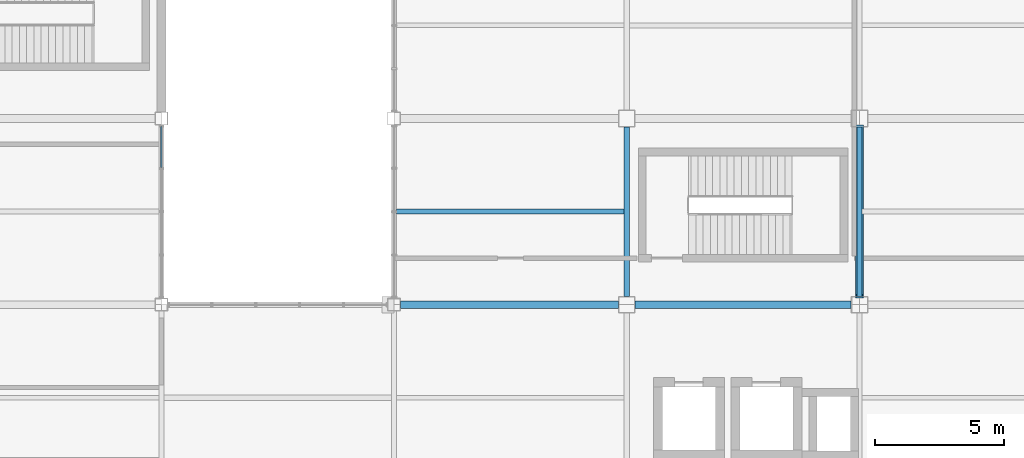
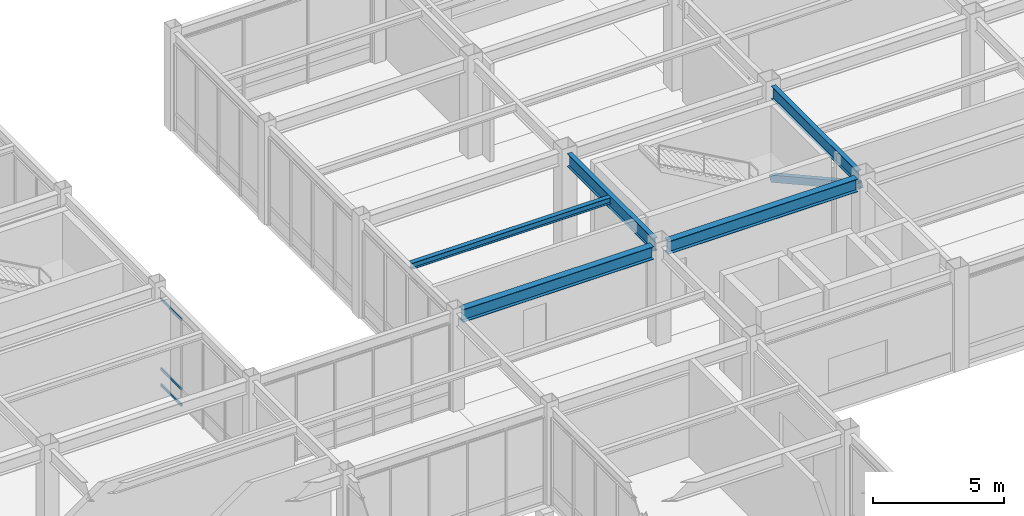
# One storey, part 53 of 112: 5 beams, 4 members, 1 element without a shape of its own.
"""IFC4 building model written with IfcOpenShell, lengths in metres."""

from ifc_helpers import new_model, si_unit, direction, frame, origin, origin_2d, place, context, subcontext, project, spatial, hollow_rectangle, i_section, extrude, material, material_profile, profile_set, type_object, element, aggregate, save


model = new_model("IFC4")

# Units and contexts
model_context = context("Model", 3, precision=1e-05, world=origin(), true_north=direction((0.0, 1.0)))
body_context = subcontext(model_context, "Body", "Model", "MODEL_VIEW")
ifc_project = project(units=[si_unit("LENGTHUNIT", "METRE"), si_unit("AREAUNIT", "SQUARE_METRE"), si_unit("VOLUMEUNIT", "CUBIC_METRE"), si_unit("PLANEANGLEUNIT", "RADIAN"), si_unit("MASSUNIT", "GRAM", prefix="KILO")], contexts=[model_context])

# Site, building, storey
site_placement = place(None, origin())
site = spatial("IfcSite", under=ifc_project, at=site_placement, CompositionType="ELEMENT")
building_placement = place(site_placement, origin())
building = spatial("IfcBuilding", under=site, at=building_placement, Name="Kazanami Central Library", CompositionType="ELEMENT")
storey_placement = place(building_placement, origin())
storey = spatial("IfcBuildingStorey", under=building, at=storey_placement, Name="L01", CompositionType="ELEMENT", Elevation=0.0)

# Beams
ifc_material_1 = material(Name="Steel SN400B (235 MPa)", Category="steel")
ifc_material_profile_1 = material_profile(ifc_material_1, i_section(OverallWidth=0.199951171875, OverallDepth=0.2939453125, WebThickness=0.008056640625, FlangeThickness=0.011962890625, at=origin_2d()), Name="H-294x200x8x12")
ifc_profile_set_1 = profile_set([ifc_material_profile_1], Name="Steel SN400B (235 MPa)")
beam_type_1 = type_object("IfcBeamType", Name="BM-B-S5", PredefinedType="JOIST", material=ifc_profile_set_1)
beam_1_placement = place(storey_placement, frame((45.097900390625, 75.60009765625, 4.407958984375), z_axis=(1.0, 0.0, 0.0), x_axis=(0.0, 1.0, 0.0)))
element("IfcBeam", 1, at=beam_1_placement, inside=storey, type_object=beam_type_1, Name="Composite Secondary Joist B-S5 L01 Bay 6/L.1", PredefinedType="JOIST", context=body_context, shape_type="SweptSolid", body=[
    extrude(i_section(OverallWidth=0.199951171875, OverallDepth=0.2939453125, WebThickness=0.008056640625, FlangeThickness=0.011962890625, at=origin_2d()), origin(), (0.0, 0.0, 1.0), 8.80419921875),
])
ifc_material_2 = material(Name="Steel SN490B (325 MPa)", Category="steel")
ifc_material_profile_2 = material_profile(ifc_material_2, i_section(OverallWidth=0.300048828125, OverallDepth=0.60009765625, WebThickness=0.011962890625, FlangeThickness=0.02001953125, at=origin_2d()), Name="H-600x300x12x20")
ifc_profile_set_2 = profile_set([ifc_material_profile_2], Name="Steel SN490B (325 MPa)")
beam_type_2 = type_object("IfcBeamType", Name="BM-G-X1", PredefinedType="BEAM", material=ifc_profile_set_2)
beam_2_placement = place(storey_placement, frame((45.248046875, 72.0, 4.2548828125), z_axis=(1.0, 0.0, 0.0), x_axis=(0.0, 1.0, 0.0)))
element("IfcBeam", 2, at=beam_2_placement, inside=storey, type_object=beam_type_2, Name="Girder G-X1 L01 L/6-7", PredefinedType="BEAM", context=body_context, shape_type="SweptSolid", body=[
    extrude(i_section(OverallWidth=0.300048828125, OverallDepth=0.60009765625, WebThickness=0.011962890625, FlangeThickness=0.02001953125, at=origin_2d()), origin(), (0.0, 0.0, 1.0), 8.428955078125),
])
beam_3_placement = place(storey_placement, frame((54.322998046875, 72.0, 4.2548828125), z_axis=(1.0, 0.0, 0.0), x_axis=(0.0, 1.0, 0.0)))
element("IfcBeam", 3, at=beam_3_placement, inside=storey, type_object=beam_type_2, Name="Girder G-X1 L01 L/7-8", PredefinedType="BEAM", context=body_context, shape_type="SweptSolid", body=[
    extrude(i_section(OverallWidth=0.300048828125, OverallDepth=0.60009765625, WebThickness=0.011962890625, FlangeThickness=0.02001953125, at=origin_2d()), origin(), (0.0, 0.0, 1.0), 8.35400390625),
])
ifc_material_profile_3 = material_profile(ifc_material_2, i_section(OverallWidth=0.199951171875, OverallDepth=0.60009765625, WebThickness=0.010986328125, FlangeThickness=0.01708984375, at=origin_2d()), Name="H-600x200x11x17")
ifc_profile_set_3 = profile_set([ifc_material_profile_3], Name="Steel SN490B (325 MPa)")
beam_type_3 = type_object("IfcBeamType", Name="BM-G-Y1", PredefinedType="BEAM", material=ifc_profile_set_3)
for number, where, z_axis, x_axis, name in (
    (4, (54.0, 72.322998046875, 4.2548828125), (0.0, 1.0, 0.0), (-1.0, 0.0, 0.0), "Girder G-Y1 L01 7/L-M"),
    (5, (63.0, 72.322998046875, 4.2548828125), (0.0, 1.0, 0.0), (-1.0, 0.0, 0.0), "Girder G-Y1 L01 8/L-M"),
):
    element("IfcBeam", number, at=place(storey_placement, frame(where, z_axis=z_axis, x_axis=x_axis)), inside=storey, type_object=beam_type_3, Name=name, PredefinedType="BEAM", context=body_context, shape_type="SweptSolid", body=[
        extrude(i_section(OverallWidth=0.199951171875, OverallDepth=0.60009765625, WebThickness=0.010986328125, FlangeThickness=0.01708984375, at=origin_2d()), origin(), (0.0, 0.0, 1.0), 6.553955078125),
    ])

# Member
ifc_material_3 = material(Name="Steel STK490 (315 MPa)", Category="steel")
ifc_material_profile_4 = material_profile(ifc_material_3, hollow_rectangle(XDim=0.300048828125, YDim=0.300048828125, WallThickness=0.011962890625, at=origin_2d()), Name="STKR-300x300x12")
ifc_profile_set_4 = profile_set([ifc_material_profile_4], Name="Steel STK490 (315 MPa)")
member_type_1 = type_object("IfcMemberType", Name="MEM-BR-06", PredefinedType="BRACE", material=ifc_profile_set_4)
member_1_placement = place(storey_placement, frame((63.0, 78.875, 0.25), z_axis=(0.0, -0.874945269019, 0.484221825428), x_axis=(1.0, 0.0, 0.0)))
element("IfcMember", 6, at=member_1_placement, inside=storey, type_object=member_type_1, Name="Concentric Steel Brace BR-06 L01 BF-V1A", PredefinedType="BRACE", context=body_context, shape_type="SweptSolid", body=[
    extrude(hollow_rectangle(XDim=0.300048828125, YDim=0.300048828125, WallThickness=0.011962890625, at=origin_2d()), origin(), (0.0, 0.0, 1.0), 7.486328125),
])

# Curtain wall, members
ifc_material_4 = material(Name="Acid-Etched Low-E Laminated Glass", Category="glass")
curtain_wall_type = type_object("IfcCurtainWallType", Name="CW-6700x4055-M180", PredefinedType="USERDEFINED", material=ifc_material_4)
curtain_wall_placement = place(storey_placement, origin())
curtain_wall = element("IfcCurtainWall", 7, at=curtain_wall_placement, inside=storey, type_object=curtain_wall_type, Name="Covered Link Bridge Curtain Wall CW-09 L01 E-5-10", ObjectType="UNITISED CURTAIN WALL", PredefinedType="USERDEFINED")
ifc_material_5 = material(Name="Anodised Aluminium A6063-T5", Category="aluminium")
ifc_material_profile_5 = material_profile(ifc_material_5, hollow_rectangle(XDim=0.06005859375, YDim=0.1201171875, WallThickness=0.00341796875, at=origin_2d()), Name="ALU-TRAN-60x120x3.5")
ifc_profile_set_5 = profile_set([ifc_material_profile_5], Name="Anodised Aluminium A6063-T5")
member_type_2 = type_object("IfcMemberType", Name="MEM-CW-T3", PredefinedType="USERDEFINED", material=ifc_profile_set_5)
member_2_placement = place(storey_placement, frame((36.0, 78.889892578125, 0.030029296875), z_axis=(0.0, -1.0, 0.0), x_axis=(1.0, 0.0, 0.0)))
member_2 = element("IfcMember", 8, at=member_2_placement, type_object=member_type_2, Name="CW-09 transom 1.1", ObjectType="TRANSOM", PredefinedType="USERDEFINED", context=body_context, shape_type="SweptSolid", body=[
    extrude(hollow_rectangle(XDim=0.06005859375, YDim=0.1201171875, WallThickness=0.00341796875, at=origin_2d()), origin(), (0.0, 0.0, 1.0), 1.5849609375),
])
member_3_placement = place(storey_placement, frame((36.0, 78.889892578125, 0.780029296875), z_axis=(0.0, -1.0, 0.0), x_axis=(1.0, 0.0, 0.0)))
member_3 = element("IfcMember", 9, at=member_3_placement, type_object=member_type_2, Name="CW-09 transom 1.2", ObjectType="TRANSOM", PredefinedType="USERDEFINED", context=body_context, shape_type="SweptSolid", body=[
    extrude(hollow_rectangle(XDim=0.06005859375, YDim=0.1201171875, WallThickness=0.00341796875, at=origin_2d()), origin(), (0.0, 0.0, 1.0), 1.5849609375),
])
member_4_placement = place(storey_placement, frame((36.0, 78.889892578125, 4.02490234375), z_axis=(0.0, -1.0, 0.0), x_axis=(1.0, 0.0, 0.0)))
member_4 = element("IfcMember", 10, at=member_4_placement, type_object=member_type_2, Name="CW-09 transom 1.3", ObjectType="TRANSOM", PredefinedType="USERDEFINED", context=body_context, shape_type="SweptSolid", body=[
    extrude(hollow_rectangle(XDim=0.06005859375, YDim=0.1201171875, WallThickness=0.00341796875, at=origin_2d()), origin(), (0.0, 0.0, 1.0), 1.5849609375),
])
aggregate(curtain_wall, [member_2, member_3, member_4])

save(model, "model.ifc")
